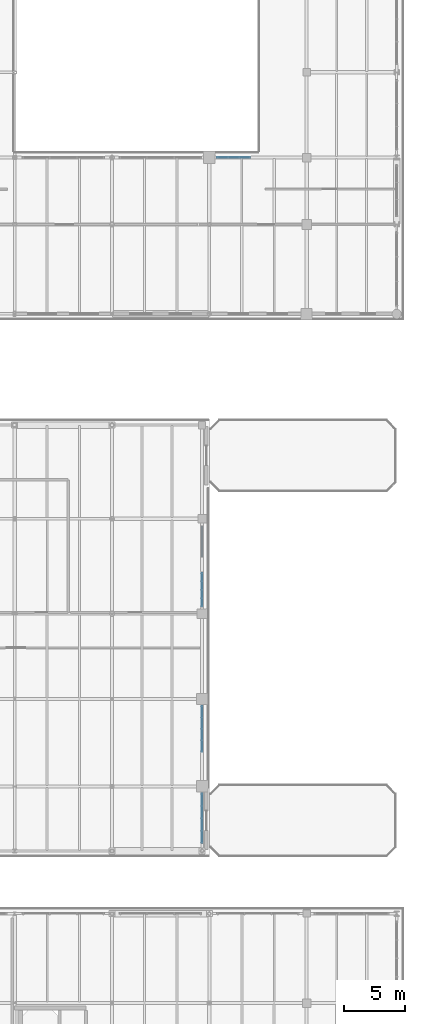
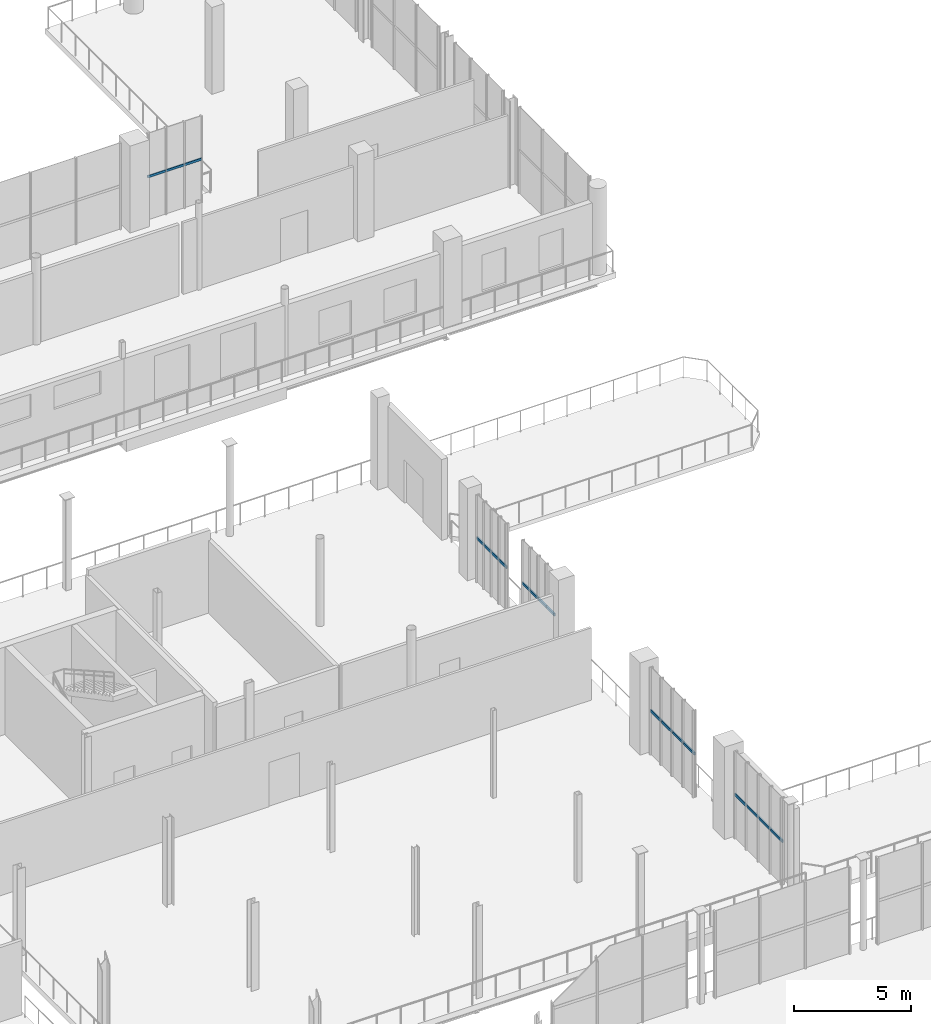
# One storey, part 59 of 93: 19 members, 5 elements without a shape of their own.
"""IFC4 building model written with IfcOpenShell, lengths in metres."""

from ifc_helpers import new_model, si_unit, direction, frame, origin, origin_2d, place, context, subcontext, project, spatial, rectangle, extrude, material, material_profile, profile_set, type_object, element, aggregate, save


model = new_model("IFC4")

# Units and contexts
model_context = context("Model", 3, precision=1e-05, world=origin(), true_north=direction((0.0, 1.0)))
body_context = subcontext(model_context, "Body", "Model", "MODEL_VIEW")
ifc_project = project(units=[si_unit("LENGTHUNIT", "METRE"), si_unit("AREAUNIT", "SQUARE_METRE"), si_unit("VOLUMEUNIT", "CUBIC_METRE"), si_unit("PLANEANGLEUNIT", "RADIAN"), si_unit("MASSUNIT", "GRAM", prefix="KILO")], contexts=[model_context])

# Site, building, storey
site_placement = place(None, origin())
site = spatial("IfcSite", under=ifc_project, at=site_placement, CompositionType="ELEMENT")
building_placement = place(site_placement, origin())
building = spatial("IfcBuilding", under=site, at=building_placement, Name="Brisemont Oceanarium", CompositionType="ELEMENT")
storey_placement = place(building_placement, frame((0.0, 0.0, 5.39990234375)))
storey = spatial("IfcBuildingStorey", under=building, at=storey_placement, Name="L01", CompositionType="ELEMENT", Elevation=5.39990234375)

# Curtain wall, members
ifc_material_1 = material(Name="Anodized Extruded Aluminum 6063-T6", Category="aluminium")
curtain_wall_type_1 = type_object("IfcCurtainWallType", Name="CW-RES-61X43", PredefinedType="NOTDEFINED", material=ifc_material_1)
curtain_wall_1_placement = place(storey_placement, origin())
curtain_wall_1 = element("IfcCurtainWall", 1, at=curtain_wall_1_placement, inside=storey, type_object=curtain_wall_type_1, Name="CW-17 curtain wall CW-V6-CL-L01-03", PredefinedType="NOTDEFINED")
ifc_material_2 = material(Name="Anodized Extruded Aluminum 6063-T6", Category="aluminium")
ifc_material_profile_1 = material_profile(ifc_material_2, rectangle(XDim=0.06005859375, YDim=0.1201171875, at=origin_2d()), Name="CWT-60X120")
ifc_profile_set_1 = profile_set([ifc_material_profile_1], Name="Anodized Extruded Aluminum 6063-T6")
member_type_1 = type_object("IfcMemberType", Name="MEM-CWT-60", PredefinedType="USERDEFINED", material=ifc_profile_set_1)
member_1_placement = place(storey_placement, frame((144.6650390625, 93.5, 2.25), z_axis=(1.0, 0.0, 0.0), x_axis=(0.0, 1.0, 0.0)))
member_1 = element("IfcMember", 2, at=member_1_placement, type_object=member_type_1, Name="CW-V6-CL-L01-03 transom 1.1", ObjectType="TRANSOM", PredefinedType="USERDEFINED", context=body_context, shape_type="SweptSolid", body=[
    extrude(rectangle(XDim=0.06005859375, YDim=0.1201171875, at=origin_2d()), origin(), (0.0, 0.0, 1.0), 0.869873046875),
])
member_2_placement = place(storey_placement, frame((145.56494140625, 93.5, 2.25), z_axis=(1.0, 0.0, 0.0), x_axis=(0.0, 1.0, 0.0)))
member_2 = element("IfcMember", 3, at=member_2_placement, type_object=member_type_1, Name="CW-V6-CL-L01-03 transom 2.1", ObjectType="TRANSOM", PredefinedType="USERDEFINED", context=body_context, shape_type="SweptSolid", body=[
    extrude(rectangle(XDim=0.06005859375, YDim=0.1201171875, at=origin_2d()), origin(), (0.0, 0.0, 1.0), 0.8701171875),
])
member_3_placement = place(storey_placement, frame((146.465087890625, 93.5, 2.25), z_axis=(1.0, 0.0, 0.0), x_axis=(0.0, 1.0, 0.0)))
member_3 = element("IfcMember", 4, at=member_3_placement, type_object=member_type_1, Name="CW-V6-CL-L01-03 transom 3.1", ObjectType="TRANSOM", PredefinedType="USERDEFINED", context=body_context, shape_type="SweptSolid", body=[
    extrude(rectangle(XDim=0.06005859375, YDim=0.1201171875, at=origin_2d()), origin(), (0.0, 0.0, 1.0), 0.869873046875),
])
aggregate(curtain_wall_1, [member_1, member_2, member_3])

ifc_material_3 = material(Name="Anodized Extruded Aluminum 6063-T6", Category="aluminium")
curtain_wall_type_2 = type_object("IfcCurtainWallType", Name="CW-GAL-69X43", PredefinedType="NOTDEFINED", material=ifc_material_3)
curtain_wall_2_placement = place(storey_placement, origin())
curtain_wall_2 = element("IfcCurtainWall", 5, at=curtain_wall_2_placement, inside=storey, type_object=curtain_wall_type_2, Name="CW-12 curtain wall CW-V5E-MC-L01-01", PredefinedType="NOTDEFINED")
ifc_material_4 = material(Name="Anodized Extruded Aluminum 6063-T6", Category="aluminium")
ifc_material_profile_2 = material_profile(ifc_material_4, rectangle(XDim=0.06494140625, YDim=0.139892578125, at=origin_2d()), Name="CWT-65X140")
ifc_profile_set_2 = profile_set([ifc_material_profile_2], Name="Anodized Extruded Aluminum 6063-T6")
member_type_2 = type_object("IfcMemberType", Name="MEM-CWT-65", PredefinedType="USERDEFINED", material=ifc_profile_set_2)
member_4_placement = place(storey_placement, frame((143.39990234375, 37.1650390625, 2.27001953125), z_axis=(0.0, 1.0, 0.0), x_axis=(-1.0, 0.0, 0.0)))
member_4 = element("IfcMember", 6, at=member_4_placement, type_object=member_type_2, Name="CW-V5E-MC-L01-01 transom 1.1", ObjectType="TRANSOM", PredefinedType="USERDEFINED", context=body_context, shape_type="SweptSolid", body=[
    extrude(rectangle(XDim=0.06494140625, YDim=0.139892578125, at=origin_2d()), origin(), (0.0, 0.0, 1.0), 0.987548828125),
])
member_5_placement = place(storey_placement, frame((143.39990234375, 38.1826171875, 2.27001953125), z_axis=(0.0, 1.0, 0.0), x_axis=(-1.0, 0.0, 0.0)))
member_5 = element("IfcMember", 7, at=member_5_placement, type_object=member_type_2, Name="CW-V5E-MC-L01-01 transom 2.1", ObjectType="TRANSOM", PredefinedType="USERDEFINED", context=body_context, shape_type="SweptSolid", body=[
    extrude(rectangle(XDim=0.06494140625, YDim=0.139892578125, at=origin_2d()), origin(), (0.0, 0.0, 1.0), 0.9873046875),
])
member_6_placement = place(storey_placement, frame((143.39990234375, 39.199951171875, 2.27001953125), z_axis=(0.0, 1.0, 0.0), x_axis=(-1.0, 0.0, 0.0)))
member_6 = element("IfcMember", 8, at=member_6_placement, type_object=member_type_2, Name="CW-V5E-MC-L01-01 transom 3.1", ObjectType="TRANSOM", PredefinedType="USERDEFINED", context=body_context, shape_type="SweptSolid", body=[
    extrude(rectangle(XDim=0.06494140625, YDim=0.139892578125, at=origin_2d()), origin(), (0.0, 0.0, 1.0), 0.987548828125),
])
member_7_placement = place(storey_placement, frame((143.39990234375, 40.217529296875, 2.27001953125), z_axis=(0.0, 1.0, 0.0), x_axis=(-1.0, 0.0, 0.0)))
member_7 = element("IfcMember", 9, at=member_7_placement, type_object=member_type_2, Name="CW-V5E-MC-L01-01 transom 4.1", ObjectType="TRANSOM", PredefinedType="USERDEFINED", context=body_context, shape_type="SweptSolid", body=[
    extrude(rectangle(XDim=0.06494140625, YDim=0.139892578125, at=origin_2d()), origin(), (0.0, 0.0, 1.0), 0.987548828125),
])
aggregate(curtain_wall_2, [member_4, member_5, member_6, member_7])

curtain_wall_3_placement = place(storey_placement, origin())
curtain_wall_3 = element("IfcCurtainWall", 10, at=curtain_wall_3_placement, inside=storey, type_object=curtain_wall_type_2, Name="CW-12 curtain wall CW-V5E-MC-L01-02", PredefinedType="NOTDEFINED")
member_8_placement = place(storey_placement, frame((143.39990234375, 44.6650390625, 2.27001953125), z_axis=(0.0, 1.0, 0.0), x_axis=(-1.0, 0.0, 0.0)))
member_8 = element("IfcMember", 11, at=member_8_placement, type_object=member_type_2, Name="CW-V5E-MC-L01-02 transom 1.1", ObjectType="TRANSOM", PredefinedType="USERDEFINED", context=body_context, shape_type="SweptSolid", body=[
    extrude(rectangle(XDim=0.06494140625, YDim=0.139892578125, at=origin_2d()), origin(), (0.0, 0.0, 1.0), 0.912353515625),
])
member_9_placement = place(storey_placement, frame((143.39990234375, 45.607421875, 2.27001953125), z_axis=(0.0, 1.0, 0.0), x_axis=(-1.0, 0.0, 0.0)))
member_9 = element("IfcMember", 12, at=member_9_placement, type_object=member_type_2, Name="CW-V5E-MC-L01-02 transom 2.1", ObjectType="TRANSOM", PredefinedType="USERDEFINED", context=body_context, shape_type="SweptSolid", body=[
    extrude(rectangle(XDim=0.06494140625, YDim=0.139892578125, at=origin_2d()), origin(), (0.0, 0.0, 1.0), 0.91259765625),
])
member_10_placement = place(storey_placement, frame((143.39990234375, 46.550048828125, 2.27001953125), z_axis=(0.0, 1.0, 0.0), x_axis=(-1.0, 0.0, 0.0)))
member_10 = element("IfcMember", 13, at=member_10_placement, type_object=member_type_2, Name="CW-V5E-MC-L01-02 transom 3.1", ObjectType="TRANSOM", PredefinedType="USERDEFINED", context=body_context, shape_type="SweptSolid", body=[
    extrude(rectangle(XDim=0.06494140625, YDim=0.139892578125, at=origin_2d()), origin(), (0.0, 0.0, 1.0), 0.912353515625),
])
member_11_placement = place(storey_placement, frame((143.39990234375, 47.492431640625, 2.27001953125), z_axis=(0.0, 1.0, 0.0), x_axis=(-1.0, 0.0, 0.0)))
member_11 = element("IfcMember", 14, at=member_11_placement, type_object=member_type_2, Name="CW-V5E-MC-L01-02 transom 4.1", ObjectType="TRANSOM", PredefinedType="USERDEFINED", context=body_context, shape_type="SweptSolid", body=[
    extrude(rectangle(XDim=0.06494140625, YDim=0.139892578125, at=origin_2d()), origin(), (0.0, 0.0, 1.0), 0.91259765625),
])
aggregate(curtain_wall_3, [member_8, member_9, member_10, member_11])

curtain_wall_4_placement = place(storey_placement, origin())
curtain_wall_4 = element("IfcCurtainWall", 15, at=curtain_wall_4_placement, inside=storey, type_object=curtain_wall_type_2, Name="CW-12 curtain wall CW-V5E-MC-L01-03", PredefinedType="NOTDEFINED")
member_12_placement = place(storey_placement, frame((143.39990234375, 56.594970703125, 2.27001953125), z_axis=(0.0, 1.0, 0.0), x_axis=(-1.0, 0.0, 0.0)))
member_12 = element("IfcMember", 16, at=member_12_placement, type_object=member_type_2, Name="CW-V5E-MC-L01-03 transom 1.1", ObjectType="TRANSOM", PredefinedType="USERDEFINED", context=body_context, shape_type="SweptSolid", body=[
    extrude(rectangle(XDim=0.06494140625, YDim=0.139892578125, at=origin_2d()), origin(), (0.0, 0.0, 1.0), 0.66259765625),
])
member_13_placement = place(storey_placement, frame((143.39990234375, 57.28759765625, 2.27001953125), z_axis=(0.0, 1.0, 0.0), x_axis=(-1.0, 0.0, 0.0)))
member_13 = element("IfcMember", 17, at=member_13_placement, type_object=member_type_2, Name="CW-V5E-MC-L01-03 transom 2.1", ObjectType="TRANSOM", PredefinedType="USERDEFINED", context=body_context, shape_type="SweptSolid", body=[
    extrude(rectangle(XDim=0.06494140625, YDim=0.139892578125, at=origin_2d()), origin(), (0.0, 0.0, 1.0), 0.662353515625),
])
member_14_placement = place(storey_placement, frame((143.39990234375, 57.97998046875, 2.27001953125), z_axis=(0.0, 1.0, 0.0), x_axis=(-1.0, 0.0, 0.0)))
member_14 = element("IfcMember", 18, at=member_14_placement, type_object=member_type_2, Name="CW-V5E-MC-L01-03 transom 3.1", ObjectType="TRANSOM", PredefinedType="USERDEFINED", context=body_context, shape_type="SweptSolid", body=[
    extrude(rectangle(XDim=0.06494140625, YDim=0.139892578125, at=origin_2d()), origin(), (0.0, 0.0, 1.0), 0.66259765625),
])
member_15_placement = place(storey_placement, frame((143.39990234375, 58.672607421875, 2.27001953125), z_axis=(0.0, 1.0, 0.0), x_axis=(-1.0, 0.0, 0.0)))
member_15 = element("IfcMember", 19, at=member_15_placement, type_object=member_type_2, Name="CW-V5E-MC-L01-03 transom 4.1", ObjectType="TRANSOM", PredefinedType="USERDEFINED", context=body_context, shape_type="SweptSolid", body=[
    extrude(rectangle(XDim=0.06494140625, YDim=0.139892578125, at=origin_2d()), origin(), (0.0, 0.0, 1.0), 0.662353515625),
])
aggregate(curtain_wall_4, [member_12, member_13, member_14, member_15])

curtain_wall_5_placement = place(storey_placement, origin())
curtain_wall_5 = element("IfcCurtainWall", 20, at=curtain_wall_5_placement, inside=storey, type_object=curtain_wall_type_2, Name="CW-12 curtain wall CW-V5E-MC-L01-04", PredefinedType="NOTDEFINED")
member_16_placement = place(storey_placement, frame((143.39990234375, 60.6650390625, 2.27001953125), z_axis=(0.0, 1.0, 0.0), x_axis=(-1.0, 0.0, 0.0)))
member_16 = element("IfcMember", 21, at=member_16_placement, type_object=member_type_2, Name="CW-V5E-MC-L01-04 transom 1.1", ObjectType="TRANSOM", PredefinedType="USERDEFINED", context=body_context, shape_type="SweptSolid", body=[
    extrude(rectangle(XDim=0.06494140625, YDim=0.139892578125, at=origin_2d()), origin(), (0.0, 0.0, 1.0), 0.612548828125),
])
member_17_placement = place(storey_placement, frame((143.39990234375, 61.3076171875, 2.27001953125), z_axis=(0.0, 1.0, 0.0), x_axis=(-1.0, 0.0, 0.0)))
member_17 = element("IfcMember", 22, at=member_17_placement, type_object=member_type_2, Name="CW-V5E-MC-L01-04 transom 2.1", ObjectType="TRANSOM", PredefinedType="USERDEFINED", context=body_context, shape_type="SweptSolid", body=[
    extrude(rectangle(XDim=0.06494140625, YDim=0.139892578125, at=origin_2d()), origin(), (0.0, 0.0, 1.0), 0.6123046875),
])
member_18_placement = place(storey_placement, frame((143.39990234375, 61.949951171875, 2.27001953125), z_axis=(0.0, 1.0, 0.0), x_axis=(-1.0, 0.0, 0.0)))
member_18 = element("IfcMember", 23, at=member_18_placement, type_object=member_type_2, Name="CW-V5E-MC-L01-04 transom 3.1", ObjectType="TRANSOM", PredefinedType="USERDEFINED", context=body_context, shape_type="SweptSolid", body=[
    extrude(rectangle(XDim=0.06494140625, YDim=0.139892578125, at=origin_2d()), origin(), (0.0, 0.0, 1.0), 0.612548828125),
])
member_19_placement = place(storey_placement, frame((143.39990234375, 62.592529296875, 2.27001953125), z_axis=(0.0, 1.0, 0.0), x_axis=(-1.0, 0.0, 0.0)))
member_19 = element("IfcMember", 24, at=member_19_placement, type_object=member_type_2, Name="CW-V5E-MC-L01-04 transom 4.1", ObjectType="TRANSOM", PredefinedType="USERDEFINED", context=body_context, shape_type="SweptSolid", body=[
    extrude(rectangle(XDim=0.06494140625, YDim=0.139892578125, at=origin_2d()), origin(), (0.0, 0.0, 1.0), 0.612548828125),
])
aggregate(curtain_wall_5, [member_16, member_17, member_18, member_19])

save(model, "model.ifc")
